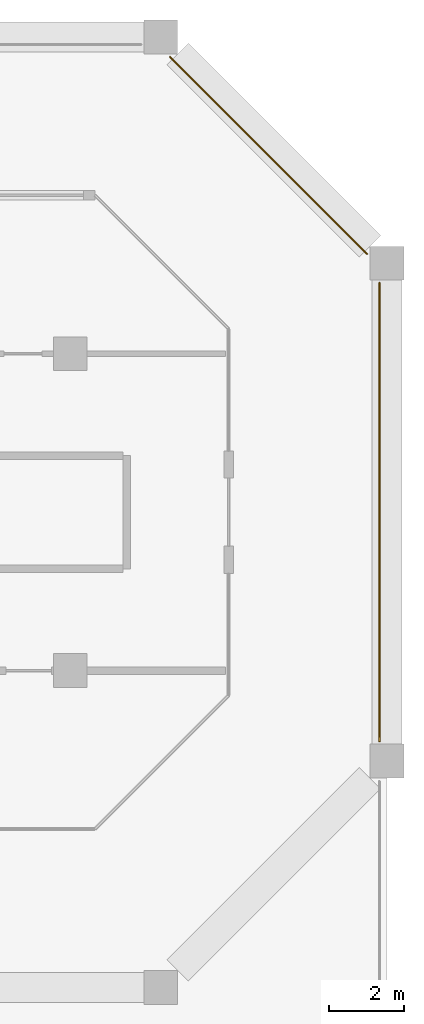
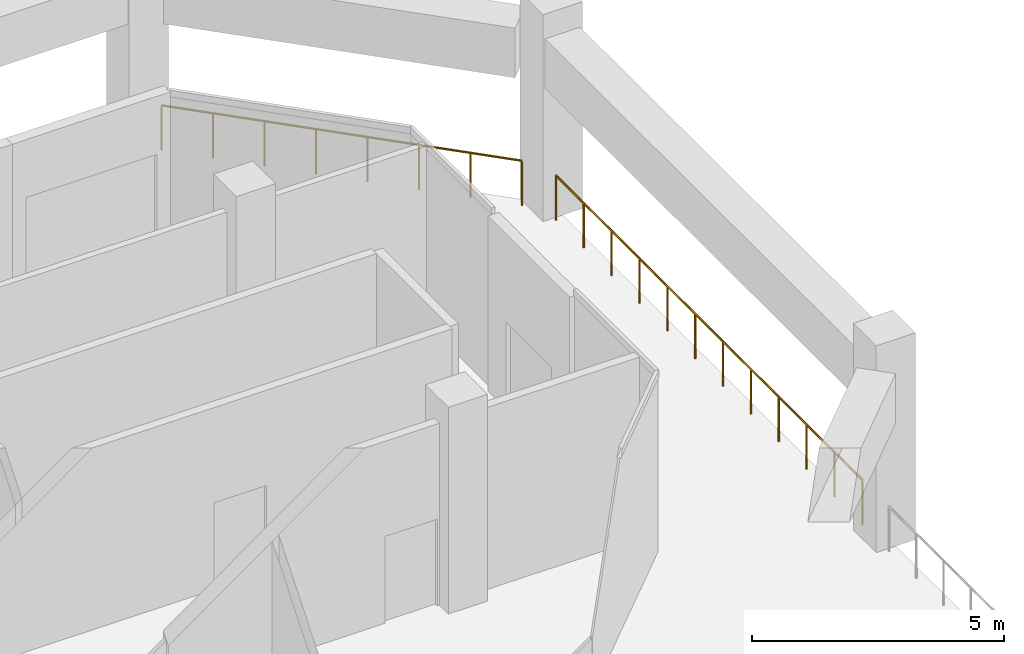
# One storey, part 14 of 14: 2 railings.
"""IFC4 building model written with IfcOpenShell, lengths in metres."""

from ifc_helpers import new_model, si_unit, direction, frame, origin, origin_2d, place, context, subcontext, project, spatial, circle, extrude, material, type_object, element, save


model = new_model("IFC4")

# Units and contexts
model_context = context("Model", 3, precision=1e-05, world=origin(), true_north=direction((0.0, 1.0)))
body_context = subcontext(model_context, "Body", "Model", "MODEL_VIEW")
ifc_project = project(units=[si_unit("LENGTHUNIT", "METRE"), si_unit("AREAUNIT", "SQUARE_METRE"), si_unit("VOLUMEUNIT", "CUBIC_METRE"), si_unit("PLANEANGLEUNIT", "RADIAN"), si_unit("MASSUNIT", "GRAM", prefix="KILO")], contexts=[model_context])

# Site, building, storey
site_placement = place(None, origin())
site = spatial("IfcSite", under=ifc_project, at=site_placement, CompositionType="ELEMENT")
building_placement = place(site_placement, origin())
building = spatial("IfcBuilding", under=site, at=building_placement, Name="Kawkab Arch Medical Tower", CompositionType="ELEMENT")
storey_placement = place(building_placement, frame((0.0, 0.0, 213.0)))
storey = spatial("IfcBuildingStorey", under=building, at=storey_placement, Name="L49", CompositionType="ELEMENT", Elevation=213.0)

# Railings
ifc_material = material(Name="Bronze anodised aluminium guard", Category="aluminium")
railing_type = type_object("IfcRailingType", Name="Loggia and terrace guard 1100", PredefinedType="GUARDRAIL", material=ifc_material)
railing_1_placement = place(storey_placement, frame((61.447021484375, -0.530029296875, 0.0)))
element("IfcRailing", 1, at=railing_1_placement, inside=storey, type_object=railing_type, Name="Guard L49.REF-01.1.3", PredefinedType="GUARDRAIL", context=body_context, shape_type="SweptSolid", body=[
    extrude(circle(Radius=0.02392578125, at=origin_2d()), frame((0.0, 0.0, 1.076171875), z_axis=(0.707106781187, -0.707106781187, 0.0), x_axis=(0.707106781187, 0.707106781187, 0.0)), (0.0, 0.0, 1.0), 7.38623046875),
    extrude(circle(Radius=0.02099609375, at=origin_2d()), origin(), (0.0, 0.0, 1.0), 1.052001953125),
    extrude(circle(Radius=0.02099609375, at=origin_2d()), frame((0.74609375, -0.74609375, 0.0)), (0.0, 0.0, 1.0), 1.052001953125),
    extrude(circle(Radius=0.02099609375, at=origin_2d()), frame((1.4921875, -1.4921875, 0.0)), (0.0, 0.0, 1.0), 1.052001953125),
    extrude(circle(Radius=0.02099609375, at=origin_2d()), frame((2.23828125, -2.23828125, 0.0)), (0.0, 0.0, 1.0), 1.052001953125),
    extrude(circle(Radius=0.02099609375, at=origin_2d()), frame((2.984619140625, -2.984619140625, 0.0)), (0.0, 0.0, 1.0), 1.052001953125),
    extrude(circle(Radius=0.02099609375, at=origin_2d()), frame((3.730712890625, -3.730712890625, 0.0)), (0.0, 0.0, 1.0), 1.052001953125),
    extrude(circle(Radius=0.02099609375, at=origin_2d()), frame((4.476806640625, -4.476806640625, 0.0)), (0.0, 0.0, 1.0), 1.052001953125),
    extrude(circle(Radius=0.02099609375, at=origin_2d()), frame((5.222900390625, -5.222900390625, 0.0)), (0.0, 0.0, 1.0), 1.052001953125),
])
railing_2_placement = place(storey_placement, frame((67.0, -6.530029296875, 0.0)))
element("IfcRailing", 2, at=railing_2_placement, inside=storey, type_object=railing_type, Name="Guard L49.REF-01.1.4", PredefinedType="GUARDRAIL", context=body_context, shape_type="SweptSolid", body=[
    extrude(circle(Radius=0.02392578125, at=origin_2d()), frame((0.0, 0.0, 1.076171875), z_axis=(0.0, -1.0, 0.0), x_axis=(1.0, 0.0, 0.0)), (0.0, 0.0, 1.0), 12.139892578125),
    extrude(circle(Radius=0.02099609375, at=origin_2d()), origin(), (0.0, 0.0, 1.0), 1.052001953125),
    extrude(circle(Radius=0.02099609375, at=origin_2d()), frame((0.0, -1.103515625, 0.0)), (0.0, 0.0, 1.0), 1.052001953125),
    extrude(circle(Radius=0.02099609375, at=origin_2d()), frame((0.0, -2.207275390625, 0.0)), (0.0, 0.0, 1.0), 1.052001953125),
    extrude(circle(Radius=0.02099609375, at=origin_2d()), frame((0.0, -3.310791015625, 0.0)), (0.0, 0.0, 1.0), 1.052001953125),
    extrude(circle(Radius=0.02099609375, at=origin_2d()), frame((0.0, -4.41455078125, 0.0)), (0.0, 0.0, 1.0), 1.052001953125),
    extrude(circle(Radius=0.02099609375, at=origin_2d()), frame((0.0, -5.51806640625, 0.0)), (0.0, 0.0, 1.0), 1.052001953125),
    extrude(circle(Radius=0.02099609375, at=origin_2d()), frame((0.0, -6.621826171875, 0.0)), (0.0, 0.0, 1.0), 1.052001953125),
    extrude(circle(Radius=0.02099609375, at=origin_2d()), frame((0.0, -7.725341796875, 0.0)), (0.0, 0.0, 1.0), 1.052001953125),
    extrude(circle(Radius=0.02099609375, at=origin_2d()), frame((0.0, -8.8291015625, 0.0)), (0.0, 0.0, 1.0), 1.052001953125),
    extrude(circle(Radius=0.02099609375, at=origin_2d()), frame((0.0, -9.9326171875, 0.0)), (0.0, 0.0, 1.0), 1.052001953125),
    extrude(circle(Radius=0.02099609375, at=origin_2d()), frame((0.0, -11.036376953125, 0.0)), (0.0, 0.0, 1.0), 1.052001953125),
    extrude(circle(Radius=0.02099609375, at=origin_2d()), frame((0.0, -12.139892578125, 0.0)), (0.0, 0.0, 1.0), 1.052001953125),
])

save(model, "model.ifc")
